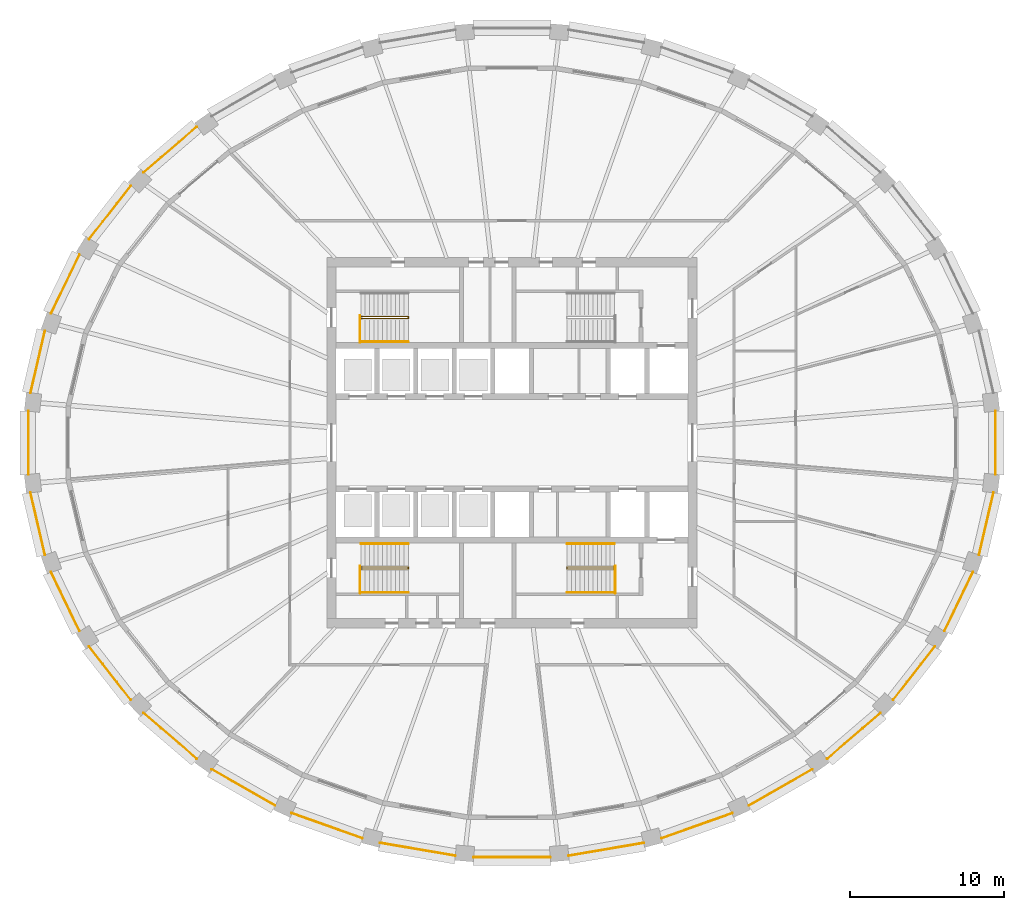
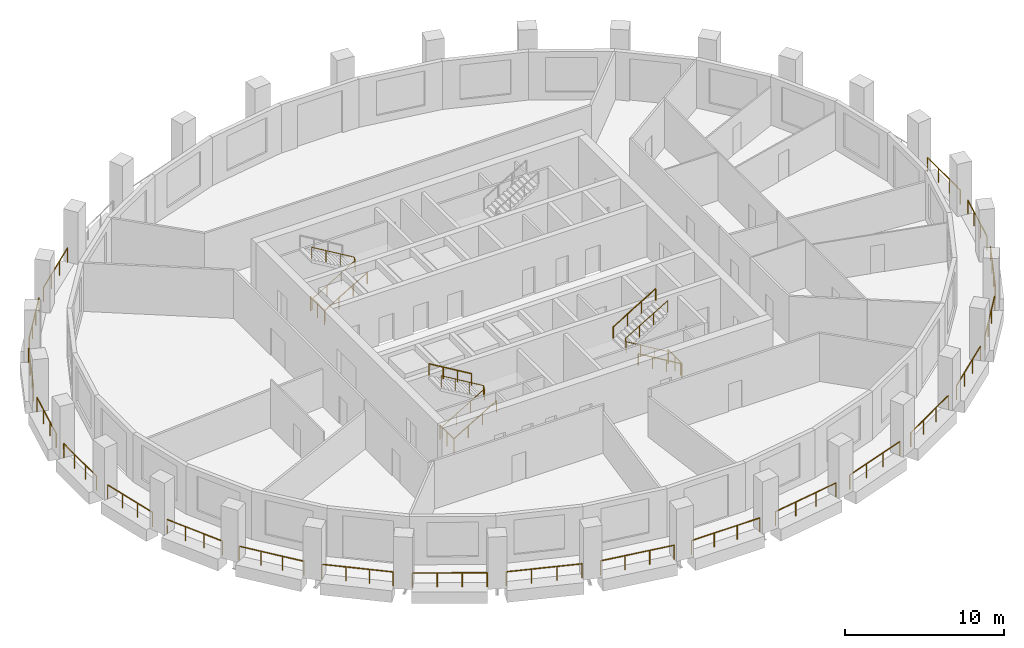
# One storey, part 9 of 11: 32 railings.
"""IFC4 building model written with IfcOpenShell, lengths in metres."""

from ifc_helpers import new_model, si_unit, direction, frame, origin, origin_2d, place, context, subcontext, project, spatial, circle, extrude, material, type_object, element, save


model = new_model("IFC4")

# Units and contexts
model_context = context("Model", 3, precision=1e-05, world=origin(), true_north=direction((0.0, 1.0)))
body_context = subcontext(model_context, "Body", "Model", "MODEL_VIEW")
ifc_project = project(units=[si_unit("LENGTHUNIT", "METRE"), si_unit("AREAUNIT", "SQUARE_METRE"), si_unit("VOLUMEUNIT", "CUBIC_METRE"), si_unit("PLANEANGLEUNIT", "RADIAN"), si_unit("MASSUNIT", "GRAM", prefix="KILO")], contexts=[model_context])

# Site, building, storey
site_placement = place(None, origin())
site = spatial("IfcSite", under=ifc_project, at=site_placement, CompositionType="ELEMENT")
building_placement = place(site_placement, origin())
building = spatial("IfcBuilding", under=site, at=building_placement, Name="Halqa Exchange Tower", CompositionType="ELEMENT")
storey_placement = place(building_placement, frame((0.0, 0.0, 234.89990234375)))
storey = spatial("IfcBuildingStorey", under=building, at=storey_placement, Name="L54", CompositionType="ELEMENT", Elevation=234.89990234375)

# Railings
ifc_material = material(Name="Stainless steel", Category="steel")
railing_type_1 = type_object("IfcRailingType", Name="Guard 1100 stainless steel", PredefinedType="GUARDRAIL", material=ifc_material)
railing_1_placement = place(storey_placement, frame((-20.4423828125, 20.484619140625, 0.0)))
element("IfcRailing", 1, at=railing_1_placement, inside=storey, type_object=railing_type_1, Name="Loggia guard 12", PredefinedType="GUARDRAIL", context=body_context, shape_type="SweptSolid", body=[
    extrude(circle(Radius=0.02392578125, at=origin_2d()), frame((0.0, 0.0, 1.076171875), z_axis=(-0.759271745383, -0.650773706186, 0.0), x_axis=(0.650773706186, -0.759271745383, 0.0)), (0.0, 0.0, 1.0), 4.552001953125),
    extrude(circle(Radius=0.02099609375, at=origin_2d()), origin(), (0.0, 0.0, 1.0), 1.052001953125),
    extrude(circle(Radius=0.02099609375, at=origin_2d()), frame((-1.152099609375, -0.987548828125, 0.0)), (0.0, 0.0, 1.0), 1.052001953125),
    extrude(circle(Radius=0.02099609375, at=origin_2d()), frame((-2.30419921875, -1.974853515625, 0.0)), (0.0, 0.0, 1.0), 1.052001953125),
    extrude(circle(Radius=0.02099609375, at=origin_2d()), frame((-3.456298828125, -2.96240234375, 0.0)), (0.0, 0.0, 1.0), 1.052001953125),
])
railing_2_placement = place(storey_placement, frame((-24.722900390625, 16.658447265625, 0.0)))
element("IfcRailing", 2, at=railing_2_placement, inside=storey, type_object=railing_type_1, Name="Loggia guard 13", PredefinedType="GUARDRAIL", context=body_context, shape_type="SweptSolid", body=[
    extrude(circle(Radius=0.02392578125, at=origin_2d()), frame((0.0, 0.0, 1.076171875), z_axis=(-0.614812118362, -0.788673607467, 0.0), x_axis=(0.788673607467, -0.614812118362, 0.0)), (0.0, 0.0, 1.0), 4.381103515625),
    extrude(circle(Radius=0.02099609375, at=origin_2d()), origin(), (0.0, 0.0, 1.0), 1.052001953125),
    extrude(circle(Radius=0.02099609375, at=origin_2d()), frame((-0.89794921875, -1.15185546875, 0.0)), (0.0, 0.0, 1.0), 1.052001953125),
    extrude(circle(Radius=0.02099609375, at=origin_2d()), frame((-1.795654296875, -2.303466796875, 0.0)), (0.0, 0.0, 1.0), 1.052001953125),
    extrude(circle(Radius=0.02099609375, at=origin_2d()), frame((-2.693603515625, -3.455322265625, 0.0)), (0.0, 0.0, 1.0), 1.052001953125),
])
railing_3_placement = place(storey_placement, frame((-28.04638671875, 12.189697265625, 0.0)))
element("IfcRailing", 3, at=railing_3_placement, inside=storey, type_object=railing_type_1, Name="Loggia guard 14", PredefinedType="GUARDRAIL", context=body_context, shape_type="SweptSolid", body=[
    extrude(circle(Radius=0.02392578125, at=origin_2d()), frame((0.0, 0.0, 1.076171875), z_axis=(-0.435150734019, -0.900357617107, 0.0), x_axis=(0.900357617107, -0.435150734019, 0.0)), (0.0, 0.0, 1.0), 4.23193359375),
    extrude(circle(Radius=0.02099609375, at=origin_2d()), origin(), (0.0, 0.0, 1.0), 1.052001953125),
    extrude(circle(Radius=0.02099609375, at=origin_2d()), frame((-0.61376953125, -1.27001953125, 0.0)), (0.0, 0.0, 1.0), 1.052001953125),
    extrude(circle(Radius=0.02099609375, at=origin_2d()), frame((-1.227783203125, -2.540283203125, 0.0)), (0.0, 0.0, 1.0), 1.052001953125),
    extrude(circle(Radius=0.02099609375, at=origin_2d()), frame((-1.841552734375, -3.810302734375, 0.0)), (0.0, 0.0, 1.0), 1.052001953125),
])
railing_4_placement = place(storey_placement, frame((-30.28466796875, 7.254638671875, 0.0)))
element("IfcRailing", 4, at=railing_4_placement, inside=storey, type_object=railing_type_1, Name="Loggia guard 15", PredefinedType="GUARDRAIL", context=body_context, shape_type="SweptSolid", body=[
    extrude(circle(Radius=0.02392578125, at=origin_2d()), frame((0.0, 0.0, 1.076171875), z_axis=(-0.226046573137, -0.974116495483, 0.0), x_axis=(0.974116495483, -0.226046573137, 0.0)), (0.0, 0.0, 1.0), 4.130126953125),
    extrude(circle(Radius=0.02099609375, at=origin_2d()), origin(), (0.0, 0.0, 1.0), 1.052001953125),
    extrude(circle(Radius=0.02099609375, at=origin_2d()), frame((-0.311279296875, -1.341064453125, 0.0)), (0.0, 0.0, 1.0), 1.052001953125),
    extrude(circle(Radius=0.02099609375, at=origin_2d()), frame((-0.622314453125, -2.68212890625, 0.0)), (0.0, 0.0, 1.0), 1.052001953125),
    extrude(circle(Radius=0.02099609375, at=origin_2d()), frame((-0.93359375, -4.023193359375, 0.0)), (0.0, 0.0, 1.0), 1.052001953125),
])
railing_5_placement = place(storey_placement, frame((-31.35400390625, 2.046875, 0.0)))
element("IfcRailing", 5, at=railing_5_placement, inside=storey, type_object=railing_type_1, Name="Loggia guard 16", PredefinedType="GUARDRAIL", context=body_context, shape_type="SweptSolid", body=[
    extrude(circle(Radius=0.02392578125, at=origin_2d()), frame((0.0, 0.0, 1.076171875), z_axis=(0.0, -1.0, 0.0), x_axis=(1.0, 0.0, 0.0)), (0.0, 0.0, 1.0), 4.09375),
    extrude(circle(Radius=0.02099609375, at=origin_2d()), origin(), (0.0, 0.0, 1.0), 1.052001953125),
    extrude(circle(Radius=0.02099609375, at=origin_2d()), frame((0.0, -1.364501953125, 0.0)), (0.0, 0.0, 1.0), 1.052001953125),
    extrude(circle(Radius=0.02099609375, at=origin_2d()), frame((0.0, -2.729248046875, 0.0)), (0.0, 0.0, 1.0), 1.052001953125),
    extrude(circle(Radius=0.02099609375, at=origin_2d()), frame((0.0, -4.09375, 0.0)), (0.0, 0.0, 1.0), 1.052001953125),
])
railing_6_placement = place(storey_placement, frame((-31.21826171875, -3.2314453125, 0.0)))
element("IfcRailing", 6, at=railing_6_placement, inside=storey, type_object=railing_type_1, Name="Loggia guard 17", PredefinedType="GUARDRAIL", context=body_context, shape_type="SweptSolid", body=[
    extrude(circle(Radius=0.02392578125, at=origin_2d()), frame((0.0, 0.0, 1.076171875), z_axis=(0.226046573137, -0.974116495483, 0.0), x_axis=(0.974116495483, 0.226046573137, 0.0)), (0.0, 0.0, 1.0), 4.130126953125),
    extrude(circle(Radius=0.02099609375, at=origin_2d()), origin(), (0.0, 0.0, 1.0), 1.052001953125),
    extrude(circle(Radius=0.02099609375, at=origin_2d()), frame((0.311279296875, -1.341064453125, 0.0)), (0.0, 0.0, 1.0), 1.052001953125),
    extrude(circle(Radius=0.02099609375, at=origin_2d()), frame((0.622314453125, -2.68212890625, 0.0)), (0.0, 0.0, 1.0), 1.052001953125),
    extrude(circle(Radius=0.02099609375, at=origin_2d()), frame((0.93359375, -4.023193359375, 0.0)), (0.0, 0.0, 1.0), 1.052001953125),
])
railing_7_placement = place(storey_placement, frame((-29.887939453125, -8.37939453125, 0.0)))
element("IfcRailing", 7, at=railing_7_placement, inside=storey, type_object=railing_type_1, Name="Loggia guard 18", PredefinedType="GUARDRAIL", context=body_context, shape_type="SweptSolid", body=[
    extrude(circle(Radius=0.02392578125, at=origin_2d()), frame((0.0, 0.0, 1.076171875), z_axis=(0.435150734019, -0.900357617107, 0.0), x_axis=(0.900357617107, 0.435150734019, 0.0)), (0.0, 0.0, 1.0), 4.23193359375),
    extrude(circle(Radius=0.02099609375, at=origin_2d()), origin(), (0.0, 0.0, 1.0), 1.052001953125),
    extrude(circle(Radius=0.02099609375, at=origin_2d()), frame((0.61376953125, -1.27001953125, 0.0)), (0.0, 0.0, 1.0), 1.052001953125),
    extrude(circle(Radius=0.02099609375, at=origin_2d()), frame((1.227783203125, -2.540283203125, 0.0)), (0.0, 0.0, 1.0), 1.052001953125),
    extrude(circle(Radius=0.02099609375, at=origin_2d()), frame((1.841552734375, -3.810302734375, 0.0)), (0.0, 0.0, 1.0), 1.052001953125),
])
railing_8_placement = place(storey_placement, frame((-27.41650390625, -13.203125, 0.0)))
element("IfcRailing", 8, at=railing_8_placement, inside=storey, type_object=railing_type_1, Name="Loggia guard 19", PredefinedType="GUARDRAIL", context=body_context, shape_type="SweptSolid", body=[
    extrude(circle(Radius=0.02392578125, at=origin_2d()), frame((0.0, 0.0, 1.076171875), z_axis=(0.614812118362, -0.788673607467, 0.0), x_axis=(0.788673607467, 0.614812118362, 0.0)), (0.0, 0.0, 1.0), 4.381103515625),
    extrude(circle(Radius=0.02099609375, at=origin_2d()), origin(), (0.0, 0.0, 1.0), 1.052001953125),
    extrude(circle(Radius=0.02099609375, at=origin_2d()), frame((0.89794921875, -1.15185546875, 0.0)), (0.0, 0.0, 1.0), 1.052001953125),
    extrude(circle(Radius=0.02099609375, at=origin_2d()), frame((1.795654296875, -2.303466796875, 0.0)), (0.0, 0.0, 1.0), 1.052001953125),
    extrude(circle(Radius=0.02099609375, at=origin_2d()), frame((2.693603515625, -3.455322265625, 0.0)), (0.0, 0.0, 1.0), 1.052001953125),
])
railing_9_placement = place(storey_placement, frame((-23.898681640625, -17.522216796875, 0.0)))
element("IfcRailing", 9, at=railing_9_placement, inside=storey, type_object=railing_type_1, Name="Loggia guard 20", PredefinedType="GUARDRAIL", context=body_context, shape_type="SweptSolid", body=[
    extrude(circle(Radius=0.02392578125, at=origin_2d()), frame((0.0, 0.0, 1.076171875), z_axis=(0.759271745383, -0.650773706186, 0.0), x_axis=(0.650773706186, 0.759271745383, 0.0)), (0.0, 0.0, 1.0), 4.552001953125),
    extrude(circle(Radius=0.02099609375, at=origin_2d()), origin(), (0.0, 0.0, 1.0), 1.052001953125),
    extrude(circle(Radius=0.02099609375, at=origin_2d()), frame((1.152099609375, -0.987548828125, 0.0)), (0.0, 0.0, 1.0), 1.052001953125),
    extrude(circle(Radius=0.02099609375, at=origin_2d()), frame((2.30419921875, -1.974853515625, 0.0)), (0.0, 0.0, 1.0), 1.052001953125),
    extrude(circle(Radius=0.02099609375, at=origin_2d()), frame((3.456298828125, -2.96240234375, 0.0)), (0.0, 0.0, 1.0), 1.052001953125),
])
railing_10_placement = place(storey_placement, frame((-19.46630859375, -21.173095703125, 0.0)))
element("IfcRailing", 10, at=railing_10_placement, inside=storey, type_object=railing_type_1, Name="Loggia guard 21", PredefinedType="GUARDRAIL", context=body_context, shape_type="SweptSolid", body=[
    extrude(circle(Radius=0.02392578125, at=origin_2d()), frame((0.0, 0.0, 1.076171875), z_axis=(0.867758688051, -0.496985773752, 0.0), x_axis=(0.496985773752, 0.867758688051, 0.0)), (0.0, 0.0, 1.0), 4.7177734375),
    extrude(circle(Radius=0.02099609375, at=origin_2d()), origin(), (0.0, 0.0, 1.0), 1.052001953125),
    extrude(circle(Radius=0.02099609375, at=origin_2d()), frame((1.36474609375, -0.781494140625, 0.0)), (0.0, 0.0, 1.0), 1.052001953125),
    extrude(circle(Radius=0.02099609375, at=origin_2d()), frame((2.729248046875, -1.563232421875, 0.0)), (0.0, 0.0, 1.0), 1.052001953125),
    extrude(circle(Radius=0.02099609375, at=origin_2d()), frame((4.093994140625, -2.3447265625, 0.0)), (0.0, 0.0, 1.0), 1.052001953125),
])
railing_11_placement = place(storey_placement, frame((-14.2861328125, -24.016845703125, 0.0)))
element("IfcRailing", 11, at=railing_11_placement, inside=storey, type_object=railing_type_1, Name="Loggia guard 22", PredefinedType="GUARDRAIL", context=body_context, shape_type="SweptSolid", body=[
    extrude(circle(Radius=0.02392578125, at=origin_2d()), frame((0.0, 0.0, 1.076171875), z_axis=(0.942375076708, -0.334558238278, 0.0), x_axis=(0.334558238278, 0.942375076708, 0.0)), (0.0, 0.0, 1.0), 4.85498046875),
    extrude(circle(Radius=0.02099609375, at=origin_2d()), origin(), (0.0, 0.0, 1.0), 1.052001953125),
    extrude(circle(Radius=0.02099609375, at=origin_2d()), frame((1.525146484375, -0.54150390625, 0.0)), (0.0, 0.0, 1.0), 1.052001953125),
    extrude(circle(Radius=0.02099609375, at=origin_2d()), frame((3.050048828125, -1.082763671875, 0.0)), (0.0, 0.0, 1.0), 1.052001953125),
    extrude(circle(Radius=0.02099609375, at=origin_2d()), frame((4.5751953125, -1.624267578125, 0.0)), (0.0, 0.0, 1.0), 1.052001953125),
])
railing_12_placement = place(storey_placement, frame((-8.55419921875, -25.94287109375, 0.0)))
element("IfcRailing", 12, at=railing_12_placement, inside=storey, type_object=railing_type_1, Name="Loggia guard 23", PredefinedType="GUARDRAIL", context=body_context, shape_type="SweptSolid", body=[
    extrude(circle(Radius=0.02392578125, at=origin_2d()), frame((0.0, 0.0, 1.076171875), z_axis=(0.985775953547, -0.168064777415, 0.0), x_axis=(0.168064777415, 0.985775953547, 0.0)), (0.0, 0.0, 1.0), 4.94482421875),
    extrude(circle(Radius=0.02099609375, at=origin_2d()), origin(), (0.0, 0.0, 1.0), 1.052001953125),
    extrude(circle(Radius=0.02099609375, at=origin_2d()), frame((1.624755859375, -0.277099609375, 0.0)), (0.0, 0.0, 1.0), 1.052001953125),
    extrude(circle(Radius=0.02099609375, at=origin_2d()), frame((3.249755859375, -0.553955078125, 0.0)), (0.0, 0.0, 1.0), 1.052001953125),
    extrude(circle(Radius=0.02099609375, at=origin_2d()), frame((4.87451171875, -0.8310546875, 0.0)), (0.0, 0.0, 1.0), 1.052001953125),
])
railing_13_placement = place(storey_placement, frame((-2.488037109375, -26.874755859375, 0.0)))
element("IfcRailing", 13, at=railing_13_placement, inside=storey, type_object=railing_type_1, Name="Loggia guard 24", PredefinedType="GUARDRAIL", context=body_context, shape_type="SweptSolid", body=[
    extrude(circle(Radius=0.02392578125, at=origin_2d()), frame((0.0, 0.0, 1.076171875), z_axis=(1.0, 0.0, 0.0), x_axis=(0.0, 1.0, 0.0)), (0.0, 0.0, 1.0), 4.97607421875),
    extrude(circle(Radius=0.02099609375, at=origin_2d()), origin(), (0.0, 0.0, 1.0), 1.052001953125),
    extrude(circle(Radius=0.02099609375, at=origin_2d()), frame((1.65869140625, 0.0, 0.0)), (0.0, 0.0, 1.0), 1.052001953125),
    extrude(circle(Radius=0.02099609375, at=origin_2d()), frame((3.3173828125, 0.0, 0.0)), (0.0, 0.0, 1.0), 1.052001953125),
    extrude(circle(Radius=0.02099609375, at=origin_2d()), frame((4.97607421875, 0.0, 0.0)), (0.0, 0.0, 1.0), 1.052001953125),
])
railing_14_placement = place(storey_placement, frame((3.6796875, -26.77392578125, 0.0)))
element("IfcRailing", 14, at=railing_14_placement, inside=storey, type_object=railing_type_1, Name="Loggia guard 25", PredefinedType="GUARDRAIL", context=body_context, shape_type="SweptSolid", body=[
    extrude(circle(Radius=0.02392578125, at=origin_2d()), frame((0.0, 0.0, 1.076171875), z_axis=(0.985775953547, 0.168064777415, 0.0), x_axis=(-0.168064777415, 0.985775953547, 0.0)), (0.0, 0.0, 1.0), 4.94482421875),
    extrude(circle(Radius=0.02099609375, at=origin_2d()), origin(), (0.0, 0.0, 1.0), 1.052001953125),
    extrude(circle(Radius=0.02099609375, at=origin_2d()), frame((1.624755859375, 0.277099609375, 0.0)), (0.0, 0.0, 1.0), 1.052001953125),
    extrude(circle(Radius=0.02099609375, at=origin_2d()), frame((3.249755859375, 0.553955078125, 0.0)), (0.0, 0.0, 1.0), 1.052001953125),
    extrude(circle(Radius=0.02099609375, at=origin_2d()), frame((4.87451171875, 0.8310546875, 0.0)), (0.0, 0.0, 1.0), 1.052001953125),
])
railing_15_placement = place(storey_placement, frame((9.7109375, -25.64111328125, 0.0)))
element("IfcRailing", 15, at=railing_15_placement, inside=storey, type_object=railing_type_1, Name="Loggia guard 26", PredefinedType="GUARDRAIL", context=body_context, shape_type="SweptSolid", body=[
    extrude(circle(Radius=0.02392578125, at=origin_2d()), frame((0.0, 0.0, 1.076171875), z_axis=(0.942375076708, 0.334558238278, 0.0), x_axis=(-0.334558238278, 0.942375076708, 0.0)), (0.0, 0.0, 1.0), 4.85498046875),
    extrude(circle(Radius=0.02099609375, at=origin_2d()), origin(), (0.0, 0.0, 1.0), 1.052001953125),
    extrude(circle(Radius=0.02099609375, at=origin_2d()), frame((1.525146484375, 0.54150390625, 0.0)), (0.0, 0.0, 1.0), 1.052001953125),
    extrude(circle(Radius=0.02099609375, at=origin_2d()), frame((3.050048828125, 1.082763671875, 0.0)), (0.0, 0.0, 1.0), 1.052001953125),
    extrude(circle(Radius=0.02099609375, at=origin_2d()), frame((4.5751953125, 1.624267578125, 0.0)), (0.0, 0.0, 1.0), 1.052001953125),
])
railing_16_placement = place(storey_placement, frame((15.372314453125, -23.517822265625, 0.0)))
element("IfcRailing", 16, at=railing_16_placement, inside=storey, type_object=railing_type_1, Name="Loggia guard 27", PredefinedType="GUARDRAIL", context=body_context, shape_type="SweptSolid", body=[
    extrude(circle(Radius=0.02392578125, at=origin_2d()), frame((0.0, 0.0, 1.076171875), z_axis=(0.867758688051, 0.496985773752, 0.0), x_axis=(-0.496985773752, 0.867758688051, 0.0)), (0.0, 0.0, 1.0), 4.7177734375),
    extrude(circle(Radius=0.02099609375, at=origin_2d()), origin(), (0.0, 0.0, 1.0), 1.052001953125),
    extrude(circle(Radius=0.02099609375, at=origin_2d()), frame((1.36474609375, 0.781494140625, 0.0)), (0.0, 0.0, 1.0), 1.052001953125),
    extrude(circle(Radius=0.02099609375, at=origin_2d()), frame((2.729248046875, 1.563232421875, 0.0)), (0.0, 0.0, 1.0), 1.052001953125),
    extrude(circle(Radius=0.02099609375, at=origin_2d()), frame((4.093994140625, 2.3447265625, 0.0)), (0.0, 0.0, 1.0), 1.052001953125),
])
railing_17_placement = place(storey_placement, frame((20.4423828125, -20.484619140625, 0.0)))
element("IfcRailing", 17, at=railing_17_placement, inside=storey, type_object=railing_type_1, Name="Loggia guard 28", PredefinedType="GUARDRAIL", context=body_context, shape_type="SweptSolid", body=[
    extrude(circle(Radius=0.02392578125, at=origin_2d()), frame((0.0, 0.0, 1.076171875), z_axis=(0.759271745383, 0.650773706186, 0.0), x_axis=(-0.650773706186, 0.759271745383, 0.0)), (0.0, 0.0, 1.0), 4.552001953125),
    extrude(circle(Radius=0.02099609375, at=origin_2d()), origin(), (0.0, 0.0, 1.0), 1.052001953125),
    extrude(circle(Radius=0.02099609375, at=origin_2d()), frame((1.152099609375, 0.987548828125, 0.0)), (0.0, 0.0, 1.0), 1.052001953125),
    extrude(circle(Radius=0.02099609375, at=origin_2d()), frame((2.30419921875, 1.974853515625, 0.0)), (0.0, 0.0, 1.0), 1.052001953125),
    extrude(circle(Radius=0.02099609375, at=origin_2d()), frame((3.456298828125, 2.96240234375, 0.0)), (0.0, 0.0, 1.0), 1.052001953125),
])
railing_18_placement = place(storey_placement, frame((24.722900390625, -16.658447265625, 0.0)))
element("IfcRailing", 18, at=railing_18_placement, inside=storey, type_object=railing_type_1, Name="Loggia guard 29", PredefinedType="GUARDRAIL", context=body_context, shape_type="SweptSolid", body=[
    extrude(circle(Radius=0.02392578125, at=origin_2d()), frame((0.0, 0.0, 1.076171875), z_axis=(0.614812118362, 0.788673607467, 0.0), x_axis=(-0.788673607467, 0.614812118362, 0.0)), (0.0, 0.0, 1.0), 4.381103515625),
    extrude(circle(Radius=0.02099609375, at=origin_2d()), origin(), (0.0, 0.0, 1.0), 1.052001953125),
    extrude(circle(Radius=0.02099609375, at=origin_2d()), frame((0.89794921875, 1.15185546875, 0.0)), (0.0, 0.0, 1.0), 1.052001953125),
    extrude(circle(Radius=0.02099609375, at=origin_2d()), frame((1.795654296875, 2.303466796875, 0.0)), (0.0, 0.0, 1.0), 1.052001953125),
    extrude(circle(Radius=0.02099609375, at=origin_2d()), frame((2.693603515625, 3.455322265625, 0.0)), (0.0, 0.0, 1.0), 1.052001953125),
])
railing_19_placement = place(storey_placement, frame((28.04638671875, -12.189697265625, 0.0)))
element("IfcRailing", 19, at=railing_19_placement, inside=storey, type_object=railing_type_1, Name="Loggia guard 30", PredefinedType="GUARDRAIL", context=body_context, shape_type="SweptSolid", body=[
    extrude(circle(Radius=0.02392578125, at=origin_2d()), frame((0.0, 0.0, 1.076171875), z_axis=(0.435150734019, 0.900357617107, 0.0), x_axis=(-0.900357617107, 0.435150734019, 0.0)), (0.0, 0.0, 1.0), 4.23193359375),
    extrude(circle(Radius=0.02099609375, at=origin_2d()), origin(), (0.0, 0.0, 1.0), 1.052001953125),
    extrude(circle(Radius=0.02099609375, at=origin_2d()), frame((0.61376953125, 1.27001953125, 0.0)), (0.0, 0.0, 1.0), 1.052001953125),
    extrude(circle(Radius=0.02099609375, at=origin_2d()), frame((1.227783203125, 2.540283203125, 0.0)), (0.0, 0.0, 1.0), 1.052001953125),
    extrude(circle(Radius=0.02099609375, at=origin_2d()), frame((1.841552734375, 3.810302734375, 0.0)), (0.0, 0.0, 1.0), 1.052001953125),
])
railing_20_placement = place(storey_placement, frame((30.28466796875, -7.254638671875, 0.0)))
element("IfcRailing", 20, at=railing_20_placement, inside=storey, type_object=railing_type_1, Name="Loggia guard 31", PredefinedType="GUARDRAIL", context=body_context, shape_type="SweptSolid", body=[
    extrude(circle(Radius=0.02392578125, at=origin_2d()), frame((0.0, 0.0, 1.076171875), z_axis=(0.226046573137, 0.974116495483, 0.0), x_axis=(-0.974116495483, 0.226046573137, 0.0)), (0.0, 0.0, 1.0), 4.130126953125),
    extrude(circle(Radius=0.02099609375, at=origin_2d()), origin(), (0.0, 0.0, 1.0), 1.052001953125),
    extrude(circle(Radius=0.02099609375, at=origin_2d()), frame((0.311279296875, 1.341064453125, 0.0)), (0.0, 0.0, 1.0), 1.052001953125),
    extrude(circle(Radius=0.02099609375, at=origin_2d()), frame((0.622314453125, 2.68212890625, 0.0)), (0.0, 0.0, 1.0), 1.052001953125),
    extrude(circle(Radius=0.02099609375, at=origin_2d()), frame((0.93359375, 4.023193359375, 0.0)), (0.0, 0.0, 1.0), 1.052001953125),
])
railing_21_placement = place(storey_placement, frame((31.35400390625, -2.046875, 0.0)))
element("IfcRailing", 21, at=railing_21_placement, inside=storey, type_object=railing_type_1, Name="Loggia guard 32", PredefinedType="GUARDRAIL", context=body_context, shape_type="SweptSolid", body=[
    extrude(circle(Radius=0.02392578125, at=origin_2d()), frame((0.0, 0.0, 1.076171875), z_axis=(0.0, 1.0, 0.0), x_axis=(-1.0, 0.0, 0.0)), (0.0, 0.0, 1.0), 4.09375),
    extrude(circle(Radius=0.02099609375, at=origin_2d()), origin(), (0.0, 0.0, 1.0), 1.052001953125),
    extrude(circle(Radius=0.02099609375, at=origin_2d()), frame((0.0, 1.364501953125, 0.0)), (0.0, 0.0, 1.0), 1.052001953125),
    extrude(circle(Radius=0.02099609375, at=origin_2d()), frame((0.0, 2.729248046875, 0.0)), (0.0, 0.0, 1.0), 1.052001953125),
    extrude(circle(Radius=0.02099609375, at=origin_2d()), frame((0.0, 4.09375, 0.0)), (0.0, 0.0, 1.0), 1.052001953125),
])
railing_type_2 = type_object("IfcRailingType", Name="Stair handrail 900", PredefinedType="HANDRAIL", material=ifc_material)
railing_22_placement = place(storey_placement, frame((-9.800048828125, 8.06005859375, 0.166748046875)))
element("IfcRailing", 22, at=railing_22_placement, inside=storey, type_object=railing_type_2, Name="Handrail ST1.1", PredefinedType="HANDRAIL", context=body_context, shape_type="SweptSolid", body=[
    extrude(circle(Radius=0.02392578125, at=origin_2d()), frame((0.0, 0.0, 0.8759765625), z_axis=(0.859308565015, 0.0, 0.511457515432), x_axis=(0.0, 1.0, 0.0)), (0.0, 0.0, 1.0), 3.58447265625),
    extrude(circle(Radius=0.02392578125, at=origin_2d()), frame((3.080078125, 0.0, 2.708984375), z_axis=(0.0, 0.614500226555, 0.788916644243), x_axis=(-1.0, 0.0, 0.0)), (0.0, 0.0, 1.0), 0.21142578125),
    extrude(circle(Radius=0.02392578125, at=origin_2d()), frame((3.080078125, 0.1298828125, 2.8759765625), z_axis=(-0.859308565015, 0.0, 0.511457515432), x_axis=(0.0, -1.0, 0.0)), (0.0, 0.0, 1.0), 3.58447265625),
    extrude(circle(Radius=0.02099609375, at=origin_2d()), origin(), (0.0, 0.0, 1.0), 0.851806640625),
    extrude(circle(Radius=0.02099609375, at=origin_2d()), frame((1.026611328125, 0.0, 0.611083984375)), (0.0, 0.0, 1.0), 0.851806640625),
    extrude(circle(Radius=0.02099609375, at=origin_2d()), frame((2.053466796875, 0.0, 1.22216796875)), (0.0, 0.0, 1.0), 0.851806640625),
    extrude(circle(Radius=0.02099609375, at=origin_2d()), frame((3.080078125, 0.0, 1.833251953125)), (0.0, 0.0, 1.0), 0.851806640625),
    extrude(circle(Radius=0.02099609375, at=origin_2d()), frame((3.080078125, 0.1298828125, 2.0)), (0.0, 0.0, 1.0), 0.851806640625),
    extrude(circle(Radius=0.02099609375, at=origin_2d()), frame((2.053466796875, 0.1298828125, 2.611083984375)), (0.0, 0.0, 1.0), 0.851806640625),
    extrude(circle(Radius=0.02099609375, at=origin_2d()), frame((1.026611328125, 0.1298828125, 3.22216796875)), (0.0, 0.0, 1.0), 0.851806640625),
    extrude(circle(Radius=0.02099609375, at=origin_2d()), frame((0.0, 0.1298828125, 3.833251953125)), (0.0, 0.0, 1.0), 0.851806640625),
])
railing_23_placement = place(storey_placement, frame((-9.800048828125, 6.550048828125, 0.166748046875)))
element("IfcRailing", 23, at=railing_23_placement, inside=storey, type_object=railing_type_2, Name="Handrail ST1.2", PredefinedType="HANDRAIL", context=body_context, shape_type="SweptSolid", body=[
    extrude(circle(Radius=0.02392578125, at=origin_2d()), frame((0.0, 0.0, 0.8759765625), z_axis=(0.859308565015, 0.0, 0.511457515432), x_axis=(0.0, 1.0, 0.0)), (0.0, 0.0, 1.0), 3.58447265625),
    extrude(circle(Radius=0.02099609375, at=origin_2d()), origin(), (0.0, 0.0, 1.0), 0.851806640625),
    extrude(circle(Radius=0.02099609375, at=origin_2d()), frame((1.026611328125, 0.0, 0.611083984375)), (0.0, 0.0, 1.0), 0.851806640625),
    extrude(circle(Radius=0.02099609375, at=origin_2d()), frame((2.053466796875, 0.0, 1.22216796875)), (0.0, 0.0, 1.0), 0.851806640625),
    extrude(circle(Radius=0.02099609375, at=origin_2d()), frame((3.080078125, 0.0, 1.833251953125)), (0.0, 0.0, 1.0), 0.851806640625),
])
railing_24_placement = place(storey_placement, frame((-9.800048828125, -8.18994140625, 0.166748046875)))
element("IfcRailing", 24, at=railing_24_placement, inside=storey, type_object=railing_type_2, Name="Handrail ST3.1", PredefinedType="HANDRAIL", context=body_context, shape_type="SweptSolid", body=[
    extrude(circle(Radius=0.02392578125, at=origin_2d()), frame((0.0, 0.0, 0.8759765625), z_axis=(0.859308565015, 0.0, 0.511457515432), x_axis=(0.0, 1.0, 0.0)), (0.0, 0.0, 1.0), 3.58447265625),
    extrude(circle(Radius=0.02392578125, at=origin_2d()), frame((3.080078125, 0.0, 2.708984375), z_axis=(0.0, 0.614500226555, 0.788916644243), x_axis=(-1.0, 0.0, 0.0)), (0.0, 0.0, 1.0), 0.21142578125),
    extrude(circle(Radius=0.02392578125, at=origin_2d()), frame((3.080078125, 0.1298828125, 2.8759765625), z_axis=(-0.859308565015, 0.0, 0.511457515432), x_axis=(0.0, -1.0, 0.0)), (0.0, 0.0, 1.0), 3.58447265625),
    extrude(circle(Radius=0.02099609375, at=origin_2d()), origin(), (0.0, 0.0, 1.0), 0.851806640625),
    extrude(circle(Radius=0.02099609375, at=origin_2d()), frame((1.026611328125, 0.0, 0.611083984375)), (0.0, 0.0, 1.0), 0.851806640625),
    extrude(circle(Radius=0.02099609375, at=origin_2d()), frame((2.053466796875, 0.0, 1.22216796875)), (0.0, 0.0, 1.0), 0.851806640625),
    extrude(circle(Radius=0.02099609375, at=origin_2d()), frame((3.080078125, 0.0, 1.833251953125)), (0.0, 0.0, 1.0), 0.851806640625),
    extrude(circle(Radius=0.02099609375, at=origin_2d()), frame((3.080078125, 0.1298828125, 2.0)), (0.0, 0.0, 1.0), 0.851806640625),
    extrude(circle(Radius=0.02099609375, at=origin_2d()), frame((2.053466796875, 0.1298828125, 2.611083984375)), (0.0, 0.0, 1.0), 0.851806640625),
    extrude(circle(Radius=0.02099609375, at=origin_2d()), frame((1.026611328125, 0.1298828125, 3.22216796875)), (0.0, 0.0, 1.0), 0.851806640625),
    extrude(circle(Radius=0.02099609375, at=origin_2d()), frame((0.0, 0.1298828125, 3.833251953125)), (0.0, 0.0, 1.0), 0.851806640625),
])
railing_25_placement = place(storey_placement, frame((-9.800048828125, -9.699951171875, 0.166748046875)))
element("IfcRailing", 25, at=railing_25_placement, inside=storey, type_object=railing_type_2, Name="Handrail ST3.2", PredefinedType="HANDRAIL", context=body_context, shape_type="SweptSolid", body=[
    extrude(circle(Radius=0.02392578125, at=origin_2d()), frame((0.0, 0.0, 0.8759765625), z_axis=(0.859308565015, 0.0, 0.511457515432), x_axis=(0.0, 1.0, 0.0)), (0.0, 0.0, 1.0), 3.58447265625),
    extrude(circle(Radius=0.02099609375, at=origin_2d()), origin(), (0.0, 0.0, 1.0), 0.851806640625),
    extrude(circle(Radius=0.02099609375, at=origin_2d()), frame((1.026611328125, 0.0, 0.611083984375)), (0.0, 0.0, 1.0), 0.851806640625),
    extrude(circle(Radius=0.02099609375, at=origin_2d()), frame((2.053466796875, 0.0, 1.22216796875)), (0.0, 0.0, 1.0), 0.851806640625),
    extrude(circle(Radius=0.02099609375, at=origin_2d()), frame((3.080078125, 0.0, 1.833251953125)), (0.0, 0.0, 1.0), 0.851806640625),
])
railing_26_placement = place(storey_placement, frame((-6.719970703125, -6.550048828125, 2.166748046875)))
element("IfcRailing", 26, at=railing_26_placement, inside=storey, type_object=railing_type_2, Name="Handrail ST3.3", PredefinedType="HANDRAIL", context=body_context, shape_type="SweptSolid", body=[
    extrude(circle(Radius=0.02392578125, at=origin_2d()), frame((0.0, 0.0, 0.8759765625), z_axis=(-0.859308565015, 0.0, 0.511457515432), x_axis=(0.0, -1.0, 0.0)), (0.0, 0.0, 1.0), 3.58447265625),
    extrude(circle(Radius=0.02099609375, at=origin_2d()), origin(), (0.0, 0.0, 1.0), 0.851806640625),
    extrude(circle(Radius=0.02099609375, at=origin_2d()), frame((-1.026611328125, 0.0, 0.611083984375)), (0.0, 0.0, 1.0), 0.851806640625),
    extrude(circle(Radius=0.02099609375, at=origin_2d()), frame((-2.053466796875, 0.0, 1.22216796875)), (0.0, 0.0, 1.0), 0.851806640625),
    extrude(circle(Radius=0.02099609375, at=origin_2d()), frame((-3.080078125, 0.0, 1.833251953125)), (0.0, 0.0, 1.0), 0.851806640625),
])
railing_27_placement = place(storey_placement, frame((6.64990234375, -8.18994140625, 0.166748046875)))
element("IfcRailing", 27, at=railing_27_placement, inside=storey, type_object=railing_type_2, Name="Handrail ST4.1", PredefinedType="HANDRAIL", context=body_context, shape_type="SweptSolid", body=[
    extrude(circle(Radius=0.02392578125, at=origin_2d()), frame((0.0, 0.0, 0.8759765625), z_axis=(-0.859290745958, 0.0, 0.51148745235), x_axis=(0.0, -1.0, 0.0)), (0.0, 0.0, 1.0), 3.584228515625),
    extrude(circle(Radius=0.02392578125, at=origin_2d()), frame((-3.079833984375, 0.0, 2.708984375), z_axis=(0.0, 0.614500226555, 0.788916644243), x_axis=(-1.0, 0.0, 0.0)), (0.0, 0.0, 1.0), 0.21142578125),
    extrude(circle(Radius=0.02392578125, at=origin_2d()), frame((-3.079833984375, 0.1298828125, 2.8759765625), z_axis=(0.859290745958, 0.0, 0.51148745235), x_axis=(0.0, 1.0, 0.0)), (0.0, 0.0, 1.0), 3.584228515625),
    extrude(circle(Radius=0.02099609375, at=origin_2d()), origin(), (0.0, 0.0, 1.0), 0.851806640625),
    extrude(circle(Radius=0.02099609375, at=origin_2d()), frame((-1.026611328125, 0.0, 0.611083984375)), (0.0, 0.0, 1.0), 0.851806640625),
    extrude(circle(Radius=0.02099609375, at=origin_2d()), frame((-2.05322265625, 0.0, 1.22216796875)), (0.0, 0.0, 1.0), 0.851806640625),
    extrude(circle(Radius=0.02099609375, at=origin_2d()), frame((-3.079833984375, 0.0, 1.833251953125)), (0.0, 0.0, 1.0), 0.851806640625),
    extrude(circle(Radius=0.02099609375, at=origin_2d()), frame((-3.079833984375, 0.1298828125, 2.0)), (0.0, 0.0, 1.0), 0.851806640625),
    extrude(circle(Radius=0.02099609375, at=origin_2d()), frame((-2.05322265625, 0.1298828125, 2.611083984375)), (0.0, 0.0, 1.0), 0.851806640625),
    extrude(circle(Radius=0.02099609375, at=origin_2d()), frame((-1.026611328125, 0.1298828125, 3.22216796875)), (0.0, 0.0, 1.0), 0.851806640625),
    extrude(circle(Radius=0.02099609375, at=origin_2d()), frame((0.0, 0.1298828125, 3.833251953125)), (0.0, 0.0, 1.0), 0.851806640625),
])
railing_28_placement = place(storey_placement, frame((6.64990234375, -9.699951171875, 0.166748046875)))
element("IfcRailing", 28, at=railing_28_placement, inside=storey, type_object=railing_type_2, Name="Handrail ST4.2", PredefinedType="HANDRAIL", context=body_context, shape_type="SweptSolid", body=[
    extrude(circle(Radius=0.02392578125, at=origin_2d()), frame((0.0, 0.0, 0.8759765625), z_axis=(-0.859290745958, 0.0, 0.51148745235), x_axis=(0.0, -1.0, 0.0)), (0.0, 0.0, 1.0), 3.584228515625),
    extrude(circle(Radius=0.02099609375, at=origin_2d()), origin(), (0.0, 0.0, 1.0), 0.851806640625),
    extrude(circle(Radius=0.02099609375, at=origin_2d()), frame((-1.026611328125, 0.0, 0.611083984375)), (0.0, 0.0, 1.0), 0.851806640625),
    extrude(circle(Radius=0.02099609375, at=origin_2d()), frame((-2.05322265625, 0.0, 1.22216796875)), (0.0, 0.0, 1.0), 0.851806640625),
    extrude(circle(Radius=0.02099609375, at=origin_2d()), frame((-3.079833984375, 0.0, 1.833251953125)), (0.0, 0.0, 1.0), 0.851806640625),
])
railing_29_placement = place(storey_placement, frame((3.570068359375, -6.550048828125, 2.166748046875)))
element("IfcRailing", 29, at=railing_29_placement, inside=storey, type_object=railing_type_2, Name="Handrail ST4.3", PredefinedType="HANDRAIL", context=body_context, shape_type="SweptSolid", body=[
    extrude(circle(Radius=0.02392578125, at=origin_2d()), frame((0.0, 0.0, 0.8759765625), z_axis=(0.859290745958, 0.0, 0.51148745235), x_axis=(0.0, 1.0, 0.0)), (0.0, 0.0, 1.0), 3.584228515625),
    extrude(circle(Radius=0.02099609375, at=origin_2d()), origin(), (0.0, 0.0, 1.0), 0.851806640625),
    extrude(circle(Radius=0.02099609375, at=origin_2d()), frame((1.026611328125, 0.0, 0.611083984375)), (0.0, 0.0, 1.0), 0.851806640625),
    extrude(circle(Radius=0.02099609375, at=origin_2d()), frame((2.05322265625, 0.0, 1.22216796875)), (0.0, 0.0, 1.0), 0.851806640625),
    extrude(circle(Radius=0.02099609375, at=origin_2d()), frame((3.079833984375, 0.0, 1.833251953125)), (0.0, 0.0, 1.0), 0.851806640625),
])
railing_type_3 = type_object("IfcRailingType", Name="Stair well guard 1100", PredefinedType="GUARDRAIL", material=ifc_material)
for number, where, name in (
    (30, (-9.85009765625, 6.5, 0.0), "Guard ST1 well"),
    (31, (-9.85009765625, -9.75, 0.0), "Guard ST3 well"),
    (32, (6.699951171875, -9.75, 0.0), "Guard ST4 well"),
):
    element("IfcRailing", number, at=place(storey_placement, frame(where)), inside=storey, type_object=railing_type_3, Name=name, PredefinedType="GUARDRAIL", context=body_context, shape_type="SweptSolid", body=[
        extrude(circle(Radius=0.02392578125, at=origin_2d()), frame((0.0, 0.0, 1.076171875), z_axis=(0.0, 1.0, 0.0), x_axis=(-1.0, 0.0, 0.0)), (0.0, 0.0, 1.0), 1.75),
        extrude(circle(Radius=0.02099609375, at=origin_2d()), origin(), (0.0, 0.0, 1.0), 1.052001953125),
        extrude(circle(Radius=0.02099609375, at=origin_2d()), frame((0.0, 0.875, 0.0)), (0.0, 0.0, 1.0), 1.052001953125),
        extrude(circle(Radius=0.02099609375, at=origin_2d()), frame((0.0, 1.75, 0.0)), (0.0, 0.0, 1.0), 1.052001953125),
    ])

save(model, "model.ifc")
